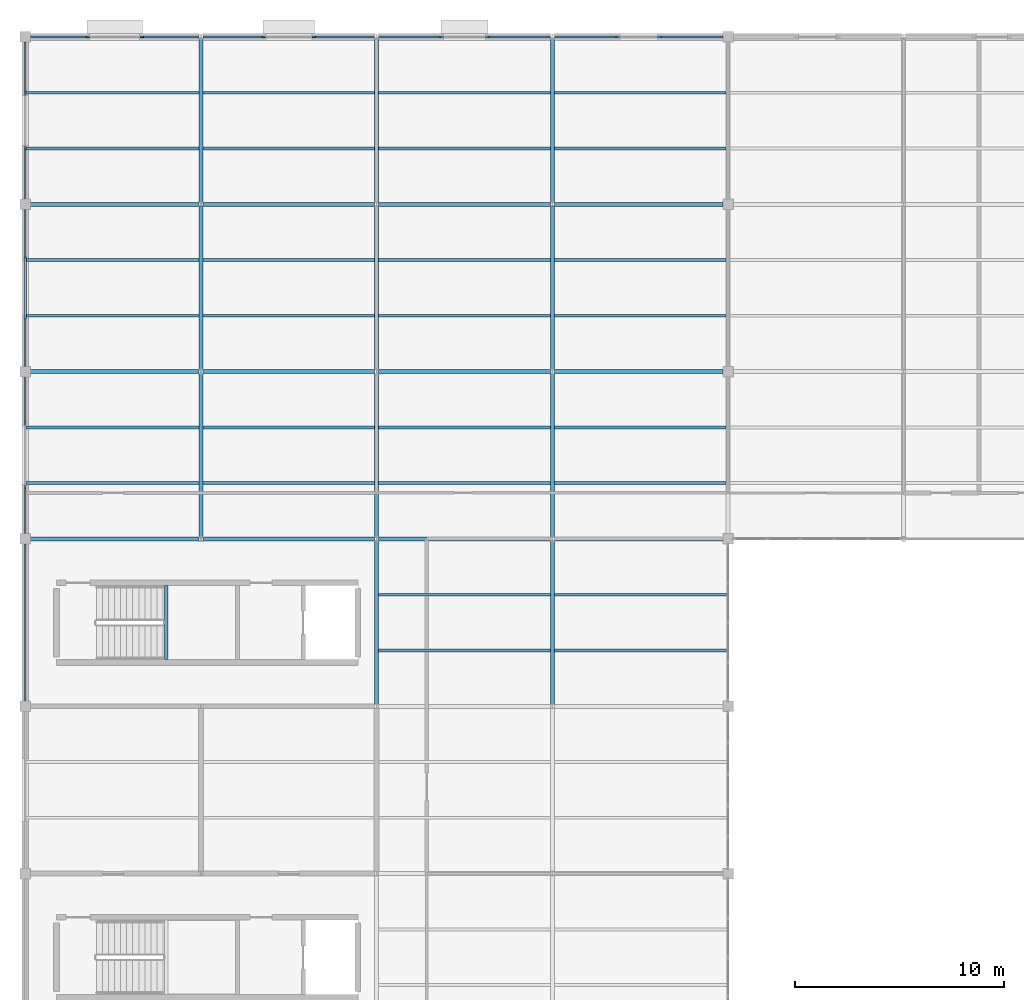
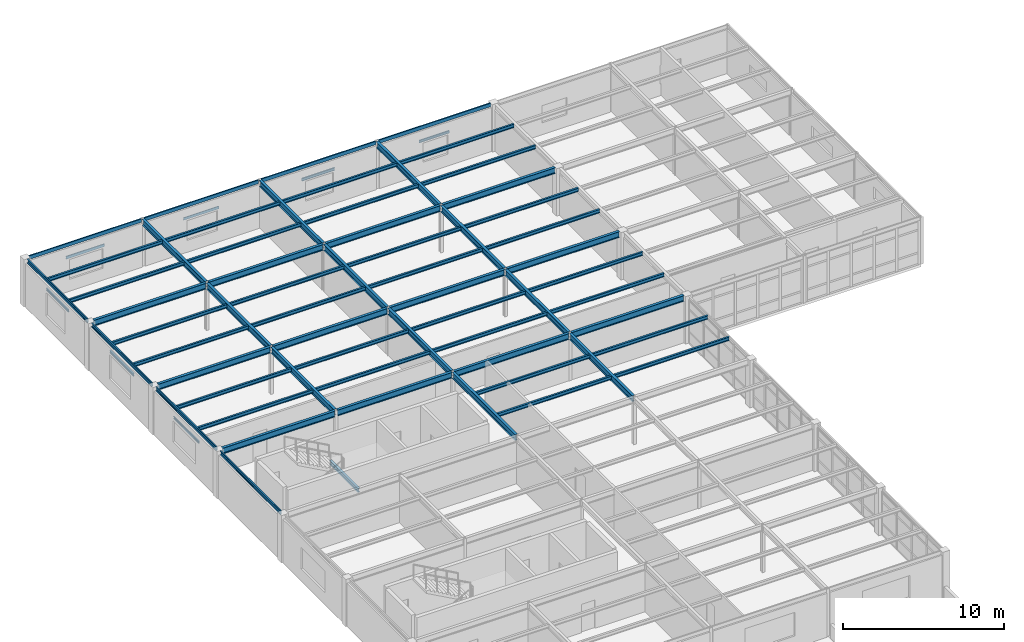
# One storey, part 13 of 32: 67 beams.
"""IFC4 building model written with IfcOpenShell, lengths in metres."""

from ifc_helpers import new_model, si_unit, direction, frame, origin, origin_2d, place, context, subcontext, project, spatial, i_section, u_section, extrude, material, material_profile, profile_set, type_object, element, save


model = new_model("IFC4")

# Units and contexts
model_context = context("Model", 3, precision=1e-05, world=origin(), true_north=direction((0.0, 1.0)))
body_context = subcontext(model_context, "Body", "Model", "MODEL_VIEW")
ifc_project = project(units=[si_unit("LENGTHUNIT", "METRE"), si_unit("AREAUNIT", "SQUARE_METRE"), si_unit("VOLUMEUNIT", "CUBIC_METRE"), si_unit("PLANEANGLEUNIT", "RADIAN"), si_unit("MASSUNIT", "GRAM", prefix="KILO")], contexts=[model_context])

# Site, building, storey
site_placement = place(None, origin())
site = spatial("IfcSite", under=ifc_project, at=site_placement, CompositionType="ELEMENT")
building_placement = place(site_placement, origin())
building = spatial("IfcBuilding", under=site, at=building_placement, Name="Kranzveld Transit Interchange", CompositionType="ELEMENT")
storey_placement = place(building_placement, frame((0.0, 0.0, 17.199951171875)))
storey = spatial("IfcBuildingStorey", under=building, at=storey_placement, Name="L04", CompositionType="ELEMENT", Elevation=17.199951171875)

# Beams
ifc_material_1 = material(Name="Steel S355JR", Category="steel")
ifc_material_profile_1 = material_profile(ifc_material_1, i_section(OverallWidth=0.18994140625, OverallDepth=0.453369140625, WebThickness=0.008544921875, FlangeThickness=0.0126953125, FilletRadius=0.01025390625, at=origin_2d()), Name="UB 457x191x67")
ifc_profile_set_1 = profile_set([ifc_material_profile_1], Name="Steel S355JR")
beam_type_1 = type_object("IfcBeamType", Name="Beam Steel UB 457x191x67 S355JR", PredefinedType="BEAM", material=ifc_profile_set_1)
beam_1_placement = place(storey_placement, frame((0.239990234375, 88.0, 3.36328125), z_axis=(1.0, 0.0, 0.0), x_axis=(0.0, 1.0, 0.0)))
element("IfcBeam", 1, at=beam_1_placement, inside=storey, type_object=beam_type_1, Name="L04 Girder 01-02/M", PredefinedType="BEAM", context=body_context, shape_type="SweptSolid", body=[
    extrude(i_section(OverallWidth=0.18994140625, OverallDepth=0.453369140625, WebThickness=0.008544921875, FlangeThickness=0.0126953125, FilletRadius=0.01025390625, at=origin_2d()), origin(), (0.0, 0.0, 1.0), 8.067138671875),
])
beam_2_placement = place(storey_placement, frame((8.492919921875, 88.0, 3.36328125), z_axis=(1.0, 0.0, 0.0), x_axis=(0.0, 1.0, 0.0)))
element("IfcBeam", 2, at=beam_2_placement, inside=storey, type_object=beam_type_1, Name="L04 Girder 02-03/M", PredefinedType="BEAM", context=body_context, shape_type="SweptSolid", body=[
    extrude(i_section(OverallWidth=0.18994140625, OverallDepth=0.453369140625, WebThickness=0.008544921875, FlangeThickness=0.0126953125, FilletRadius=0.01025390625, at=origin_2d()), origin(), (0.0, 0.0, 1.0), 8.214111328125),
])
beam_3_placement = place(storey_placement, frame((16.892822265625, 88.0, 3.36328125), z_axis=(1.0, 0.0, 0.0), x_axis=(0.0, 1.0, 0.0)))
element("IfcBeam", 3, at=beam_3_placement, inside=storey, type_object=beam_type_1, Name="L04 Girder 03-04/M", PredefinedType="BEAM", context=body_context, shape_type="SweptSolid", body=[
    extrude(i_section(OverallWidth=0.18994140625, OverallDepth=0.453369140625, WebThickness=0.008544921875, FlangeThickness=0.0126953125, FilletRadius=0.01025390625, at=origin_2d()), origin(), (0.0, 0.0, 1.0), 8.21435546875),
])
for number, where, z_axis, x_axis, name in (
    (4, (25.29296875, 88.0, 3.36328125), (1.0, 0.0, 0.0), (0.0, 1.0, 0.0), "L04 Girder 04-05/M"),
    (5, (0.239990234375, 96.0, 3.36328125), (1.0, 0.0, 0.0), (0.0, 1.0, 0.0), "L04 Girder 01-02/N"),
):
    element("IfcBeam", number, at=place(storey_placement, frame(where, z_axis=z_axis, x_axis=x_axis)), inside=storey, type_object=beam_type_1, Name=name, PredefinedType="BEAM", context=body_context, shape_type="SweptSolid", body=[
        extrude(i_section(OverallWidth=0.18994140625, OverallDepth=0.453369140625, WebThickness=0.008544921875, FlangeThickness=0.0126953125, FilletRadius=0.01025390625, at=origin_2d()), origin(), (0.0, 0.0, 1.0), 8.067138671875),
    ])
beam_4_placement = place(storey_placement, frame((8.492919921875, 96.0, 3.36328125), z_axis=(1.0, 0.0, 0.0), x_axis=(0.0, 1.0, 0.0)))
element("IfcBeam", 6, at=beam_4_placement, inside=storey, type_object=beam_type_1, Name="L04 Girder 02-03/N", PredefinedType="BEAM", context=body_context, shape_type="SweptSolid", body=[
    extrude(i_section(OverallWidth=0.18994140625, OverallDepth=0.453369140625, WebThickness=0.008544921875, FlangeThickness=0.0126953125, FilletRadius=0.01025390625, at=origin_2d()), origin(), (0.0, 0.0, 1.0), 8.214111328125),
])
beam_5_placement = place(storey_placement, frame((16.892822265625, 96.0, 3.36328125), z_axis=(1.0, 0.0, 0.0), x_axis=(0.0, 1.0, 0.0)))
element("IfcBeam", 7, at=beam_5_placement, inside=storey, type_object=beam_type_1, Name="L04 Girder 03-04/N", PredefinedType="BEAM", context=body_context, shape_type="SweptSolid", body=[
    extrude(i_section(OverallWidth=0.18994140625, OverallDepth=0.453369140625, WebThickness=0.008544921875, FlangeThickness=0.0126953125, FilletRadius=0.01025390625, at=origin_2d()), origin(), (0.0, 0.0, 1.0), 8.21435546875),
])
for number, where, z_axis, x_axis, name in (
    (8, (25.29296875, 96.0, 3.36328125), (1.0, 0.0, 0.0), (0.0, 1.0, 0.0), "L04 Girder 04-05/N"),
    (9, (0.239990234375, 104.0, 3.36328125), (1.0, 0.0, 0.0), (0.0, 1.0, 0.0), "L04 Girder 01-02/P"),
):
    element("IfcBeam", number, at=place(storey_placement, frame(where, z_axis=z_axis, x_axis=x_axis)), inside=storey, type_object=beam_type_1, Name=name, PredefinedType="BEAM", context=body_context, shape_type="SweptSolid", body=[
        extrude(i_section(OverallWidth=0.18994140625, OverallDepth=0.453369140625, WebThickness=0.008544921875, FlangeThickness=0.0126953125, FilletRadius=0.01025390625, at=origin_2d()), origin(), (0.0, 0.0, 1.0), 8.067138671875),
    ])
beam_6_placement = place(storey_placement, frame((8.492919921875, 104.0, 3.36328125), z_axis=(1.0, 0.0, 0.0), x_axis=(0.0, 1.0, 0.0)))
element("IfcBeam", 10, at=beam_6_placement, inside=storey, type_object=beam_type_1, Name="L04 Girder 02-03/P", PredefinedType="BEAM", context=body_context, shape_type="SweptSolid", body=[
    extrude(i_section(OverallWidth=0.18994140625, OverallDepth=0.453369140625, WebThickness=0.008544921875, FlangeThickness=0.0126953125, FilletRadius=0.01025390625, at=origin_2d()), origin(), (0.0, 0.0, 1.0), 8.214111328125),
])
beam_7_placement = place(storey_placement, frame((16.892822265625, 104.0, 3.36328125), z_axis=(1.0, 0.0, 0.0), x_axis=(0.0, 1.0, 0.0)))
element("IfcBeam", 11, at=beam_7_placement, inside=storey, type_object=beam_type_1, Name="L04 Girder 03-04/P", PredefinedType="BEAM", context=body_context, shape_type="SweptSolid", body=[
    extrude(i_section(OverallWidth=0.18994140625, OverallDepth=0.453369140625, WebThickness=0.008544921875, FlangeThickness=0.0126953125, FilletRadius=0.01025390625, at=origin_2d()), origin(), (0.0, 0.0, 1.0), 8.21435546875),
])
beam_8_placement = place(storey_placement, frame((25.29296875, 104.0, 3.36328125), z_axis=(1.0, 0.0, 0.0), x_axis=(0.0, 1.0, 0.0)))
element("IfcBeam", 12, at=beam_8_placement, inside=storey, type_object=beam_type_1, Name="L04 Girder 04-05/P", PredefinedType="BEAM", context=body_context, shape_type="SweptSolid", body=[
    extrude(i_section(OverallWidth=0.18994140625, OverallDepth=0.453369140625, WebThickness=0.008544921875, FlangeThickness=0.0126953125, FilletRadius=0.01025390625, at=origin_2d()), origin(), (0.0, 0.0, 1.0), 8.067138671875),
])
for number, where, z_axis, x_axis, name in (
    (13, (8.39990234375, 88.0947265625, 3.36328125), (0.0, 1.0, 0.0), (-1.0, 0.0, 0.0), "L04 Girder 02/M-N"),
    (14, (8.39990234375, 96.0947265625, 3.36328125), (0.0, 1.0, 0.0), (-1.0, 0.0, 0.0), "L04 Girder 02/N-P"),
    (15, (8.39990234375, 104.0947265625, 3.36328125), (0.0, 1.0, 0.0), (-1.0, 0.0, 0.0), "L04 Girder 02/P-Q"),
    (16, (16.800048828125, 80.0947265625, 3.36328125), (0.0, 1.0, 0.0), (-1.0, 0.0, 0.0), "L04 Girder 03/L-M"),
    (17, (16.800048828125, 88.0947265625, 3.36328125), (0.0, 1.0, 0.0), (-1.0, 0.0, 0.0), "L04 Girder 03/M-N"),
    (18, (16.800048828125, 96.0947265625, 3.36328125), (0.0, 1.0, 0.0), (-1.0, 0.0, 0.0), "L04 Girder 03/N-P"),
    (19, (16.800048828125, 104.0947265625, 3.36328125), (0.0, 1.0, 0.0), (-1.0, 0.0, 0.0), "L04 Girder 03/P-Q"),
    (20, (25.199951171875, 80.0947265625, 3.36328125), (0.0, 1.0, 0.0), (-1.0, 0.0, 0.0), "L04 Girder 04/L-M"),
    (21, (25.199951171875, 88.0947265625, 3.36328125), (0.0, 1.0, 0.0), (-1.0, 0.0, 0.0), "L04 Girder 04/M-N"),
    (22, (25.199951171875, 96.0947265625, 3.36328125), (0.0, 1.0, 0.0), (-1.0, 0.0, 0.0), "L04 Girder 04/N-P"),
    (23, (25.199951171875, 104.0947265625, 3.36328125), (0.0, 1.0, 0.0), (-1.0, 0.0, 0.0), "L04 Girder 04/P-Q"),
):
    element("IfcBeam", number, at=place(storey_placement, frame(where, z_axis=z_axis, x_axis=x_axis)), inside=storey, type_object=beam_type_1, Name=name, PredefinedType="BEAM", context=body_context, shape_type="SweptSolid", body=[
        extrude(i_section(OverallWidth=0.18994140625, OverallDepth=0.453369140625, WebThickness=0.008544921875, FlangeThickness=0.0126953125, FilletRadius=0.01025390625, at=origin_2d()), origin(), (0.0, 0.0, 1.0), 7.810546875),
    ])
ifc_material_2 = material(Name="Steel S355JR", Category="steel")
ifc_material_profile_2 = material_profile(ifc_material_2, i_section(OverallWidth=0.135009765625, OverallDepth=0.27001953125, WebThickness=0.006591796875, FlangeThickness=0.01025390625, FilletRadius=0.014892578125, at=origin_2d()), Name="IPE 270")
ifc_profile_set_2 = profile_set([ifc_material_profile_2], Name="Steel S355JR")
beam_type_2 = type_object("IfcBeamType", Name="Deck Joist IPE 270 S355JR", PredefinedType="JOIST", material=ifc_profile_set_2)
for number, where, z_axis, x_axis, name in (
    (24, (0.047119140625, 90.666748046875, 3.455078125), (1.0, 0.0, 0.0), (0.0, 1.0, 0.0), "L04 Secondary Joist 01-02/M.1"),
    (25, (0.047119140625, 93.333251953125, 3.455078125), (1.0, 0.0, 0.0), (0.0, 1.0, 0.0), "L04 Secondary Joist 01-02/M.2"),
    (26, (0.047119140625, 98.666748046875, 3.455078125), (1.0, 0.0, 0.0), (0.0, 1.0, 0.0), "L04 Secondary Joist 01-02/N.1"),
    (27, (0.047119140625, 101.333251953125, 3.455078125), (1.0, 0.0, 0.0), (0.0, 1.0, 0.0), "L04 Secondary Joist 01-02/N.2"),
    (28, (0.047119140625, 106.666748046875, 3.455078125), (1.0, 0.0, 0.0), (0.0, 1.0, 0.0), "L04 Secondary Joist 01-02/P.1"),
    (29, (0.047119140625, 109.333251953125, 3.455078125), (1.0, 0.0, 0.0), (0.0, 1.0, 0.0), "L04 Secondary Joist 01-02/P.2"),
):
    element("IfcBeam", number, at=place(storey_placement, frame(where, z_axis=z_axis, x_axis=x_axis)), inside=storey, type_object=beam_type_2, Name=name, PredefinedType="JOIST", context=body_context, shape_type="SweptSolid", body=[
        extrude(i_section(OverallWidth=0.135009765625, OverallDepth=0.27001953125, WebThickness=0.006591796875, FlangeThickness=0.01025390625, FilletRadius=0.014892578125, at=origin_2d()), origin(), (0.0, 0.0, 1.0), 8.255859375),
    ])
for number, where, z_axis, x_axis, name in (
    (30, (8.4970703125, 90.666748046875, 3.455078125), (1.0, 0.0, 0.0), (0.0, 1.0, 0.0), "L04 Secondary Joist 02-03/M.1"),
    (31, (8.4970703125, 93.333251953125, 3.455078125), (1.0, 0.0, 0.0), (0.0, 1.0, 0.0), "L04 Secondary Joist 02-03/M.2"),
    (32, (8.4970703125, 98.666748046875, 3.455078125), (1.0, 0.0, 0.0), (0.0, 1.0, 0.0), "L04 Secondary Joist 02-03/N.1"),
    (33, (8.4970703125, 101.333251953125, 3.455078125), (1.0, 0.0, 0.0), (0.0, 1.0, 0.0), "L04 Secondary Joist 02-03/N.2"),
    (34, (8.4970703125, 106.666748046875, 3.455078125), (1.0, 0.0, 0.0), (0.0, 1.0, 0.0), "L04 Secondary Joist 02-03/P.1"),
    (35, (8.4970703125, 109.333251953125, 3.455078125), (1.0, 0.0, 0.0), (0.0, 1.0, 0.0), "L04 Secondary Joist 02-03/P.2"),
    (36, (16.89697265625, 82.666748046875, 3.455078125), (1.0, 0.0, 0.0), (0.0, 1.0, 0.0), "L04 Secondary Joist 03-04/L.1"),
    (37, (16.89697265625, 85.333251953125, 3.455078125), (1.0, 0.0, 0.0), (0.0, 1.0, 0.0), "L04 Secondary Joist 03-04/L.2"),
    (38, (16.89697265625, 90.666748046875, 3.455078125), (1.0, 0.0, 0.0), (0.0, 1.0, 0.0), "L04 Secondary Joist 03-04/M.1"),
    (39, (16.89697265625, 93.333251953125, 3.455078125), (1.0, 0.0, 0.0), (0.0, 1.0, 0.0), "L04 Secondary Joist 03-04/M.2"),
    (40, (16.89697265625, 98.666748046875, 3.455078125), (1.0, 0.0, 0.0), (0.0, 1.0, 0.0), "L04 Secondary Joist 03-04/N.1"),
    (41, (16.89697265625, 101.333251953125, 3.455078125), (1.0, 0.0, 0.0), (0.0, 1.0, 0.0), "L04 Secondary Joist 03-04/N.2"),
    (42, (16.89697265625, 106.666748046875, 3.455078125), (1.0, 0.0, 0.0), (0.0, 1.0, 0.0), "L04 Secondary Joist 03-04/P.1"),
    (43, (16.89697265625, 109.333251953125, 3.455078125), (1.0, 0.0, 0.0), (0.0, 1.0, 0.0), "L04 Secondary Joist 03-04/P.2"),
):
    element("IfcBeam", number, at=place(storey_placement, frame(where, z_axis=z_axis, x_axis=x_axis)), inside=storey, type_object=beam_type_2, Name=name, PredefinedType="JOIST", context=body_context, shape_type="SweptSolid", body=[
        extrude(i_section(OverallWidth=0.135009765625, OverallDepth=0.27001953125, WebThickness=0.006591796875, FlangeThickness=0.01025390625, FilletRadius=0.014892578125, at=origin_2d()), origin(), (0.0, 0.0, 1.0), 8.2060546875),
    ])
for number, where, z_axis, x_axis, name in (
    (44, (25.296875, 82.666748046875, 3.455078125), (1.0, 0.0, 0.0), (0.0, 1.0, 0.0), "L04 Secondary Joist 04-05/L.1"),
    (45, (25.296875, 85.333251953125, 3.455078125), (1.0, 0.0, 0.0), (0.0, 1.0, 0.0), "L04 Secondary Joist 04-05/L.2"),
):
    element("IfcBeam", number, at=place(storey_placement, frame(where, z_axis=z_axis, x_axis=x_axis)), inside=storey, type_object=beam_type_2, Name=name, PredefinedType="JOIST", context=body_context, shape_type="SweptSolid", body=[
        extrude(i_section(OverallWidth=0.135009765625, OverallDepth=0.27001953125, WebThickness=0.006591796875, FlangeThickness=0.01025390625, FilletRadius=0.014892578125, at=origin_2d()), origin(), (0.0, 0.0, 1.0), 8.256103515625),
    ])
for number, where, z_axis, x_axis, name in (
    (46, (25.296875, 90.666748046875, 3.455078125), (1.0, 0.0, 0.0), (0.0, 1.0, 0.0), "L04 Secondary Joist 04-05/M.1"),
    (47, (25.296875, 93.333251953125, 3.455078125), (1.0, 0.0, 0.0), (0.0, 1.0, 0.0), "L04 Secondary Joist 04-05/M.2"),
    (48, (25.296875, 98.666748046875, 3.455078125), (1.0, 0.0, 0.0), (0.0, 1.0, 0.0), "L04 Secondary Joist 04-05/N.1"),
    (49, (25.296875, 101.333251953125, 3.455078125), (1.0, 0.0, 0.0), (0.0, 1.0, 0.0), "L04 Secondary Joist 04-05/N.2"),
    (50, (25.296875, 106.666748046875, 3.455078125), (1.0, 0.0, 0.0), (0.0, 1.0, 0.0), "L04 Secondary Joist 04-05/P.1"),
    (51, (25.296875, 109.333251953125, 3.455078125), (1.0, 0.0, 0.0), (0.0, 1.0, 0.0), "L04 Secondary Joist 04-05/P.2"),
):
    element("IfcBeam", number, at=place(storey_placement, frame(where, z_axis=z_axis, x_axis=x_axis)), inside=storey, type_object=beam_type_2, Name=name, PredefinedType="JOIST", context=body_context, shape_type="SweptSolid", body=[
        extrude(i_section(OverallWidth=0.135009765625, OverallDepth=0.27001953125, WebThickness=0.006591796875, FlangeThickness=0.01025390625, FilletRadius=0.014892578125, at=origin_2d()), origin(), (0.0, 0.0, 1.0), 8.2060546875),
    ])
ifc_material_3 = material(Name="Steel S355JR", Category="steel")
ifc_material_profile_3 = material_profile(ifc_material_3, u_section(Depth=0.260009765625, FlangeWidth=0.090087890625, WebThickness=0.008056640625, FlangeThickness=0.013916015625, FilletRadius=0.011962890625, at=origin_2d()), Name="PFC 260x90x35")
ifc_profile_set_3 = profile_set([ifc_material_profile_3], Name="Steel S355JR")
beam_type_3 = type_object("IfcBeamType", Name="Edge Spandrel PFC 260x90x35 S355JR", PredefinedType="SPANDREL", material=ifc_profile_set_3)
beam_9_placement = place(storey_placement, frame((0.239990234375, 112.0, 3.4599609375), z_axis=(1.0, 0.0, 0.0), x_axis=(0.0, 1.0, 0.0)))
element("IfcBeam", 52, at=beam_9_placement, inside=storey, type_object=beam_type_3, Name="L04 Girder 01-02/Q", PredefinedType="SPANDREL", context=body_context, shape_type="SweptSolid", body=[
    extrude(u_section(Depth=0.260009765625, FlangeWidth=0.090087890625, WebThickness=0.008056640625, FlangeThickness=0.013916015625, FilletRadius=0.011962890625, at=origin_2d()), origin(), (0.0, 0.0, 1.0), 8.067138671875),
])
beam_10_placement = place(storey_placement, frame((8.492919921875, 112.0, 3.4599609375), z_axis=(1.0, 0.0, 0.0), x_axis=(0.0, 1.0, 0.0)))
element("IfcBeam", 53, at=beam_10_placement, inside=storey, type_object=beam_type_3, Name="L04 Girder 02-03/Q", PredefinedType="SPANDREL", context=body_context, shape_type="SweptSolid", body=[
    extrude(u_section(Depth=0.260009765625, FlangeWidth=0.090087890625, WebThickness=0.008056640625, FlangeThickness=0.013916015625, FilletRadius=0.011962890625, at=origin_2d()), origin(), (0.0, 0.0, 1.0), 8.214111328125),
])
beam_11_placement = place(storey_placement, frame((16.892822265625, 112.0, 3.4599609375), z_axis=(1.0, 0.0, 0.0), x_axis=(0.0, 1.0, 0.0)))
element("IfcBeam", 54, at=beam_11_placement, inside=storey, type_object=beam_type_3, Name="L04 Girder 03-04/Q", PredefinedType="SPANDREL", context=body_context, shape_type="SweptSolid", body=[
    extrude(u_section(Depth=0.260009765625, FlangeWidth=0.090087890625, WebThickness=0.008056640625, FlangeThickness=0.013916015625, FilletRadius=0.011962890625, at=origin_2d()), origin(), (0.0, 0.0, 1.0), 8.21435546875),
])
beam_12_placement = place(storey_placement, frame((25.29296875, 112.0, 3.4599609375), z_axis=(1.0, 0.0, 0.0), x_axis=(0.0, 1.0, 0.0)))
element("IfcBeam", 55, at=beam_12_placement, inside=storey, type_object=beam_type_3, Name="L04 Girder 04-05/Q", PredefinedType="SPANDREL", context=body_context, shape_type="SweptSolid", body=[
    extrude(u_section(Depth=0.260009765625, FlangeWidth=0.090087890625, WebThickness=0.008056640625, FlangeThickness=0.013916015625, FilletRadius=0.011962890625, at=origin_2d()), origin(), (0.0, 0.0, 1.0), 8.067138671875),
])
ifc_material_4 = material(Name="Steel S355JR", Category="steel")
ifc_material_profile_4 = material_profile(ifc_material_4, u_section(Depth=0.300048828125, FlangeWidth=0.090087890625, WebThickness=0.009033203125, FlangeThickness=0.015380859375, FilletRadius=0.011962890625, at=origin_2d()), Name="PFC 300x90x41")
ifc_profile_set_4 = profile_set([ifc_material_profile_4], Name="Steel S355JR")
beam_type_4 = type_object("IfcBeamType", Name="Edge Spandrel PFC 300x90x41 S355JR", PredefinedType="SPANDREL", material=ifc_profile_set_4)
for number, where, z_axis, x_axis, name in (
    (56, (0.0, 80.239990234375, 3.43994140625), (0.0, 1.0, 0.0), (-1.0, 0.0, 0.0), "L04 Girder 01/L-M"),
    (57, (0.0, 88.239990234375, 3.43994140625), (0.0, 1.0, 0.0), (-1.0, 0.0, 0.0), "L04 Girder 01/M-N"),
    (58, (0.0, 96.239990234375, 3.43994140625), (0.0, 1.0, 0.0), (-1.0, 0.0, 0.0), "L04 Girder 01/N-P"),
    (59, (0.0, 104.239990234375, 3.43994140625), (0.0, 1.0, 0.0), (-1.0, 0.0, 0.0), "L04 Girder 01/P-Q"),
):
    element("IfcBeam", number, at=place(storey_placement, frame(where, z_axis=z_axis, x_axis=x_axis)), inside=storey, type_object=beam_type_4, Name=name, PredefinedType="SPANDREL", context=body_context, shape_type="SweptSolid", body=[
        extrude(u_section(Depth=0.300048828125, FlangeWidth=0.090087890625, WebThickness=0.009033203125, FlangeThickness=0.015380859375, FilletRadius=0.011962890625, at=origin_2d()), origin(), (0.0, 0.0, 1.0), 7.52001953125),
    ])
ifc_material_5 = material(Name="Steel S355JR", Category="steel")
ifc_material_profile_5 = material_profile(ifc_material_5, u_section(Depth=0.179931640625, FlangeWidth=0.070068359375, WebThickness=0.007080078125, FlangeThickness=0.010986328125, FilletRadius=0.010009765625, at=origin_2d()), Name="PFC 180x70x22")
ifc_profile_set_5 = profile_set([ifc_material_profile_5], Name="Steel S355JR")
beam_type_5 = type_object("IfcBeamType", Name="Masonry Lintel PFC 180x70x22 S355JR", PredefinedType="LINTEL", material=ifc_profile_set_5)
beam_13_placement = place(storey_placement, frame((0.0, 90.419921875, 2.594970703125), z_axis=(0.0, 1.0, 0.0), x_axis=(-1.0, 0.0, 0.0)))
element("IfcBeam", 60, at=beam_13_placement, inside=storey, type_object=beam_type_5, Name="L04 Window Lintel 205", PredefinedType="LINTEL", context=body_context, shape_type="SweptSolid", body=[
    extrude(u_section(Depth=0.179931640625, FlangeWidth=0.070068359375, WebThickness=0.007080078125, FlangeThickness=0.010986328125, FilletRadius=0.010009765625, at=origin_2d()), origin(), (0.0, 0.0, 1.0), 3.16015625),
])
beam_14_placement = place(storey_placement, frame((11.320068359375, 112.0, 2.4951171875), z_axis=(1.0, 0.0, 0.0), x_axis=(0.0, 1.0, 0.0)))
element("IfcBeam", 61, at=beam_14_placement, inside=storey, type_object=beam_type_5, Name="L04 Window Lintel 209", PredefinedType="LINTEL", context=body_context, shape_type="SweptSolid", body=[
    extrude(u_section(Depth=0.179931640625, FlangeWidth=0.070068359375, WebThickness=0.007080078125, FlangeThickness=0.010986328125, FilletRadius=0.010009765625, at=origin_2d()), origin(), (0.0, 0.0, 1.0), 2.559814453125),
])
ifc_material_6 = material(Name="Steel S355JR", Category="steel")
ifc_material_profile_6 = material_profile(ifc_material_6, u_section(Depth=0.199951171875, FlangeWidth=0.074951171875, WebThickness=0.006103515625, FlangeThickness=0.012451171875, FilletRadius=0.011962890625, at=origin_2d()), Name="PFC 200x75x23")
ifc_profile_set_6 = profile_set([ifc_material_profile_6], Name="Steel S355JR")
beam_type_6 = type_object("IfcBeamType", Name="Masonry Lintel PFC 200x75x23 S355JR", PredefinedType="LINTEL", material=ifc_profile_set_6)
beam_15_placement = place(storey_placement, frame((2.8935546875, 112.0, 2.505126953125), z_axis=(1.0, 0.0, 0.0), x_axis=(0.0, 1.0, 0.0)))
element("IfcBeam", 62, at=beam_15_placement, inside=storey, type_object=beam_type_6, Name="L04 Window Lintel 208", PredefinedType="LINTEL", context=body_context, shape_type="SweptSolid", body=[
    extrude(u_section(Depth=0.199951171875, FlangeWidth=0.074951171875, WebThickness=0.006103515625, FlangeThickness=0.012451171875, FilletRadius=0.011962890625, at=origin_2d()), origin(), (0.0, 0.0, 1.0), 2.760009765625),
])
ifc_material_7 = material(Name="Steel S355JR", Category="steel")
ifc_material_profile_7 = material_profile(ifc_material_7, i_section(OverallWidth=0.091064453125, OverallDepth=0.179931640625, WebThickness=0.00537109375, FlangeThickness=0.008056640625, FilletRadius=0.009033203125, at=origin_2d()), Name="IPE 180")
ifc_profile_set_7 = profile_set([ifc_material_profile_7], Name="Steel S355JR")
beam_type_7 = type_object("IfcBeamType", Name="Opening Lintel IPE 180 S355JR", PredefinedType="LINTEL", material=ifc_profile_set_7)
beam_16_placement = place(storey_placement, frame((0.0, 106.6201171875, 2.7451171875), z_axis=(0.0, 1.0, 0.0), x_axis=(-1.0, 0.0, 0.0)))
element("IfcBeam", 63, at=beam_16_placement, inside=storey, type_object=beam_type_7, Name="L04 Window Lintel 207", PredefinedType="LINTEL", context=body_context, shape_type="SweptSolid", body=[
    extrude(i_section(OverallWidth=0.091064453125, OverallDepth=0.179931640625, WebThickness=0.00537109375, FlangeThickness=0.008056640625, FilletRadius=0.009033203125, at=origin_2d()), origin(), (0.0, 0.0, 1.0), 2.759765625),
])
beam_17_placement = place(storey_placement, frame((28.24658203125, 112.0, 2.445068359375), z_axis=(1.0, 0.0, 0.0), x_axis=(0.0, 1.0, 0.0)))
element("IfcBeam", 64, at=beam_17_placement, inside=storey, type_object=beam_type_7, Name="L04 Window Lintel 211", PredefinedType="LINTEL", context=body_context, shape_type="SweptSolid", body=[
    extrude(i_section(OverallWidth=0.091064453125, OverallDepth=0.179931640625, WebThickness=0.00537109375, FlangeThickness=0.008056640625, FilletRadius=0.009033203125, at=origin_2d()), origin(), (0.0, 0.0, 1.0), 2.159912109375),
])
ifc_material_8 = material(Name="Steel S355JR", Category="steel")
ifc_material_profile_8 = material_profile(ifc_material_8, i_section(OverallWidth=0.10009765625, OverallDepth=0.199951171875, WebThickness=0.005615234375, FlangeThickness=0.008544921875, FilletRadius=0.011962890625, at=origin_2d()), Name="IPE 200")
ifc_profile_set_8 = profile_set([ifc_material_profile_8], Name="Steel S355JR")
beam_type_8 = type_object("IfcBeamType", Name="Opening Lintel IPE 200 S355JR", PredefinedType="LINTEL", material=ifc_profile_set_8)
beam_18_placement = place(storey_placement, frame((0.0, 98.52001953125, 2.804931640625), z_axis=(0.0, 1.0, 0.0), x_axis=(-1.0, 0.0, 0.0)))
element("IfcBeam", 65, at=beam_18_placement, inside=storey, type_object=beam_type_8, Name="L04 Window Lintel 206", PredefinedType="LINTEL", context=body_context, shape_type="SweptSolid", body=[
    extrude(i_section(OverallWidth=0.10009765625, OverallDepth=0.199951171875, WebThickness=0.005615234375, FlangeThickness=0.008544921875, FilletRadius=0.011962890625, at=origin_2d()), origin(), (0.0, 0.0, 1.0), 2.9599609375),
])
beam_19_placement = place(storey_placement, frame((19.820068359375, 112.0, 2.505126953125), z_axis=(1.0, 0.0, 0.0), x_axis=(0.0, 1.0, 0.0)))
element("IfcBeam", 66, at=beam_19_placement, inside=storey, type_object=beam_type_8, Name="L04 Window Lintel 210", PredefinedType="LINTEL", context=body_context, shape_type="SweptSolid", body=[
    extrude(i_section(OverallWidth=0.10009765625, OverallDepth=0.199951171875, WebThickness=0.005615234375, FlangeThickness=0.008544921875, FilletRadius=0.011962890625, at=origin_2d()), origin(), (0.0, 0.0, 1.0), 2.35986328125),
])
ifc_material_9 = material(Name="Steel S355JR", Category="steel")
ifc_material_profile_9 = material_profile(ifc_material_9, i_section(OverallWidth=0.165771484375, OverallDepth=0.306640625, WebThickness=0.006591796875, FlangeThickness=0.01171875, FilletRadius=0.0087890625, at=origin_2d()), Name="UB 305x165x46")
ifc_profile_set_9 = profile_set([ifc_material_profile_9], Name="Steel S355JR")
beam_type_9 = type_object("IfcBeamType", Name="Roof Joist UB 305x165x46 S355JR", PredefinedType="JOIST", material=ifc_profile_set_9)
beam_20_placement = place(storey_placement, frame((6.75, 82.22998046875, 1.566650390625), z_axis=(0.0, 1.0, 0.0), x_axis=(-1.0, 0.0, 0.0)))
element("IfcBeam", 67, at=beam_20_placement, inside=storey, type_object=beam_type_9, Name="L04 ST-C2 Half-Landing Support Beam", PredefinedType="BEAM", context=body_context, shape_type="SweptSolid", body=[
    extrude(i_section(OverallWidth=0.165771484375, OverallDepth=0.306640625, WebThickness=0.006591796875, FlangeThickness=0.01171875, FilletRadius=0.0087890625, at=origin_2d()), origin(), (0.0, 0.0, 1.0), 3.5400390625),
])

save(model, "model.ifc")
